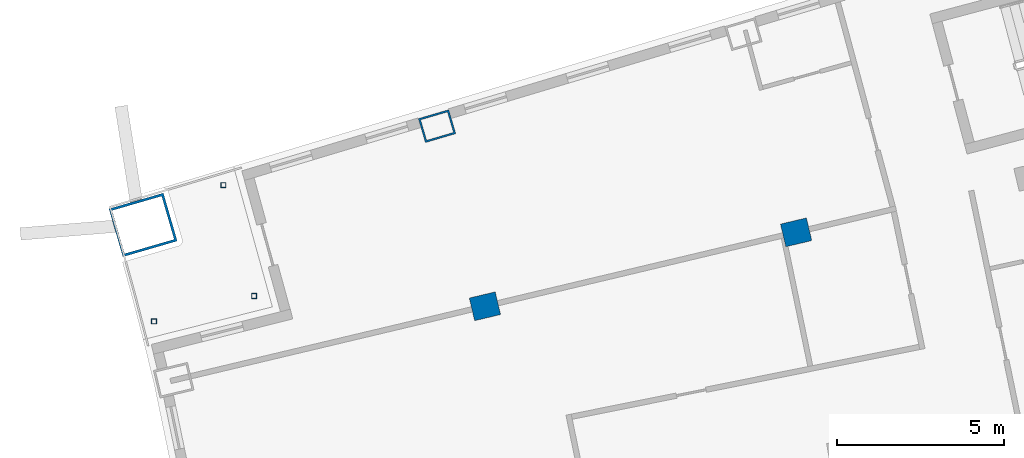
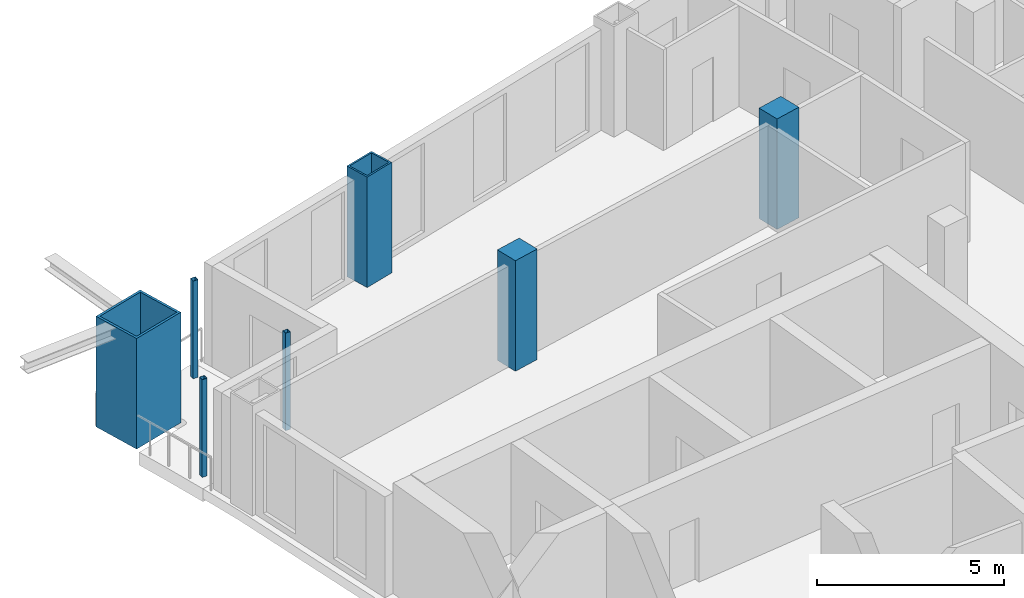
# One storey, part 7 of 19: 7 columns.
"""IFC4 building model written with IfcOpenShell, lengths in metres."""

from ifc_helpers import new_model, si_unit, direction, frame, origin, origin_2d, place, context, subcontext, project, spatial, rectangle, hollow_rectangle, extrude, material, material_profile, profile_set, type_object, element, save


model = new_model("IFC4")

# Units and contexts
model_context = context("Model", 3, precision=1e-05, world=origin(), true_north=direction((0.0, 1.0)))
body_context = subcontext(model_context, "Body", "Model", "MODEL_VIEW")
ifc_project = project(units=[si_unit("LENGTHUNIT", "METRE"), si_unit("AREAUNIT", "SQUARE_METRE"), si_unit("VOLUMEUNIT", "CUBIC_METRE"), si_unit("PLANEANGLEUNIT", "RADIAN"), si_unit("MASSUNIT", "GRAM", prefix="KILO")], contexts=[model_context])

# Site, building, storey
site_placement = place(None, origin())
site = spatial("IfcSite", under=ifc_project, at=site_placement, CompositionType="ELEMENT")
building_placement = place(site_placement, origin())
building = spatial("IfcBuilding", under=site, at=building_placement, Name="Alderwake Tower", CompositionType="ELEMENT")
storey_placement = place(building_placement, frame((0.0, 0.0, 228.800048828125)))
storey = spatial("IfcBuildingStorey", under=building, at=storey_placement, Name="L57", CompositionType="ELEMENT", Elevation=228.800048828125)

# Columns
ifc_material_1 = material(Name="Steel ASTM A572 Grade 50 concrete filled C70/85", Category="concrete")
ifc_material_profile_1 = material_profile(ifc_material_1, hollow_rectangle(XDim=0.75, YDim=0.949951171875, WallThickness=0.054931640625, at=origin_2d()), Name="BOX 950X750X55")
ifc_profile_set_1 = profile_set([ifc_material_profile_1], Name="Steel ASTM A572 Grade 50 concrete filled C70/85")
column_type_1 = type_object("IfcColumnType", Name="End column Z4", PredefinedType="COLUMN", material=ifc_profile_set_1)
column_1_placement = place(storey_placement, frame((21.885498046875, 90.96240234375, 0.0), z_axis=(0.0, 0.0, 1.0), x_axis=(-0.282132160283, 0.95937554906, 0.0)))
element("IfcColumn", 1, at=column_1_placement, inside=storey, type_object=column_type_1, Name="Column R12-C1", PredefinedType="COLUMN", context=body_context, shape_type="SweptSolid", body=[
    extrude(hollow_rectangle(XDim=0.75, YDim=0.949951171875, WallThickness=0.054931640625, at=origin_2d()), origin(), (0.0, 0.0, 1.0), 3.599853515625),
])
ifc_material_2 = material(Name="Concrete C70/85", Category="concrete")
ifc_material_profile_2 = material_profile(ifc_material_2, rectangle(XDim=0.699951171875, YDim=0.800048828125, at=origin_2d()), Name="RC 800X700")
ifc_profile_set_2 = profile_set([ifc_material_profile_2], Name="Concrete C70/85")
column_type_2 = type_object("IfcColumnType", Name="Interior column Z4", PredefinedType="COLUMN", material=ifc_profile_set_2)
for number, where, z_axis, x_axis, name in (
    (2, (23.322021484375, 85.555908203125, 0.0), (0.0, 0.0, 1.0), (-0.231221547198, 0.972901123502, 0.0), "Column R11-C1"),
    (3, (32.661865234375, 87.775390625, 0.0), (0.0, 0.0, 1.0), (-0.231221547198, 0.972901123502, 0.0), "Column R11-C2"),
):
    element("IfcColumn", number, at=place(storey_placement, frame(where, z_axis=z_axis, x_axis=x_axis)), inside=storey, type_object=column_type_2, Name=name, PredefinedType="COLUMN", context=body_context, shape_type="SweptSolid", body=[
        extrude(rectangle(XDim=0.699951171875, YDim=0.800048828125, at=origin_2d()), origin(), (0.0, 0.0, 1.0), 3.599853515625),
    ])
ifc_material_3 = material(Name="Steel ASTM A500 Grade C", Category="steel")
ifc_material_profile_3 = material_profile(ifc_material_3, hollow_rectangle(XDim=0.15234375, YDim=0.15234375, WallThickness=0.0087890625, at=origin_2d()), Name="HSS6X6X3/8")
ifc_profile_set_3 = profile_set([ifc_material_profile_3], Name="Steel ASTM A500 Grade C")
column_type_3 = type_object("IfcColumnType", Name="Light post HSS6X6X3/8", PredefinedType="COLUMN", material=ifc_profile_set_3)
for number, where, z_axis, x_axis, name in (
    (4, (13.3896484375, 85.103515625, 0.0), (0.0, 0.0, 1.0), (1.0, 0.0, 0.0), "Terrace post RN1"),
    (5, (15.47412109375, 89.194091796875, 0.0), (0.0, 0.0, 1.0), (1.0, 0.0, 0.0), "Terrace post RN2"),
    (6, (16.39501953125, 85.864013671875, 0.0), (0.0, 0.0, 1.0), (1.0, 0.0, 0.0), "Terrace post RN3"),
):
    element("IfcColumn", number, at=place(storey_placement, frame(where, z_axis=z_axis, x_axis=x_axis)), inside=storey, type_object=column_type_3, Name=name, PredefinedType="COLUMN", context=body_context, shape_type="SweptSolid", body=[
        extrude(hollow_rectangle(XDim=0.15234375, YDim=0.15234375, WallThickness=0.0087890625, at=origin_2d()), origin(), (0.0, 0.0, 1.0), 3.179931640625),
    ])
ifc_material_4 = material(Name="Steel ASTM A572 Grade 50 concrete filled C70/85", Category="concrete")
ifc_material_profile_4 = material_profile(ifc_material_4, hollow_rectangle(XDim=1.5, YDim=1.699951171875, WallThickness=0.074951171875, at=origin_2d()), Name="BOX 1700X1500X75")
ifc_profile_set_4 = profile_set([ifc_material_profile_4], Name="Steel ASTM A572 Grade 50 concrete filled C70/85")
column_type_4 = type_object("IfcColumnType", Name="Mega column Z4", PredefinedType="COLUMN", material=ifc_profile_set_4)
column_2_placement = place(storey_placement, frame((13.06298828125, 87.99755859375, 0.0), z_axis=(0.0, 0.0, 1.0), x_axis=(-0.278612301868, 0.960403657452, 0.0)))
element("IfcColumn", 7, at=column_2_placement, inside=storey, type_object=column_type_4, Name="Column R12-C0", PredefinedType="COLUMN", context=body_context, shape_type="SweptSolid", body=[
    extrude(hollow_rectangle(XDim=1.5, YDim=1.699951171875, WallThickness=0.074951171875, at=origin_2d()), origin(), (0.0, 0.0, 1.0), 3.599853515625),
])

save(model, "model.ifc")
